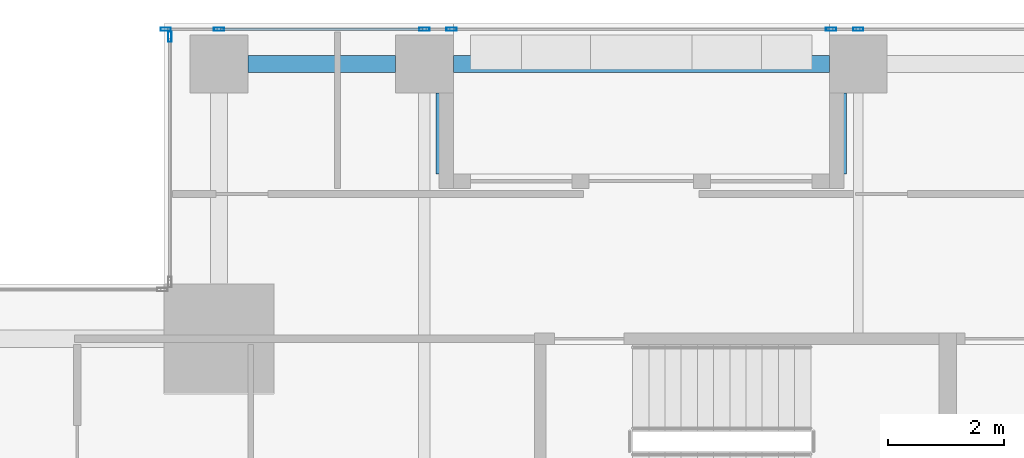
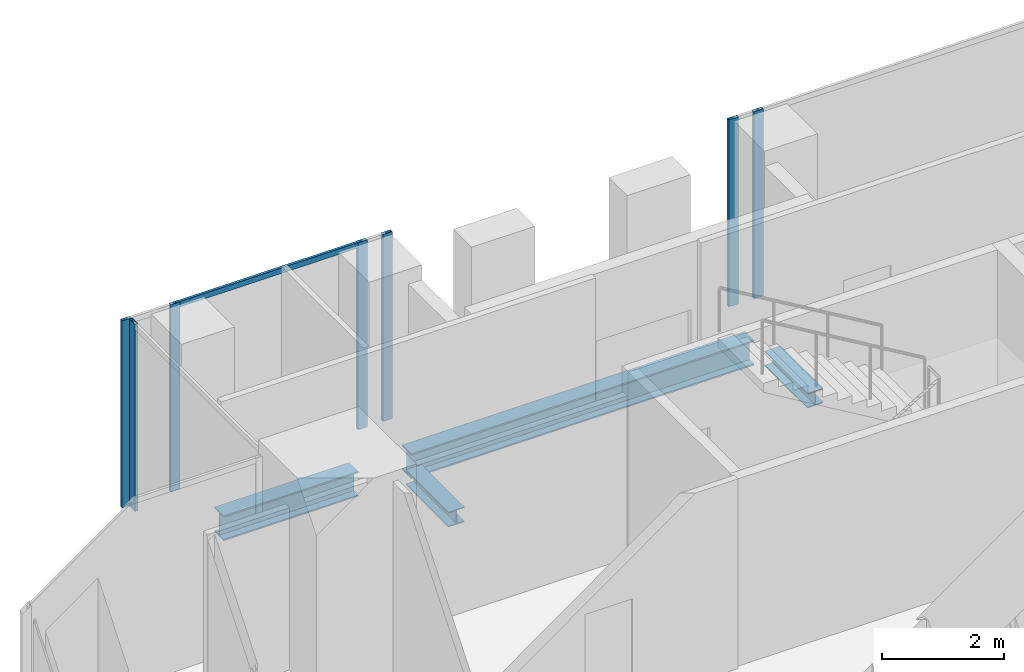
# One storey, part 22 of 40: 8 members, 4 beams, 3 elements without a shape of their own.
"""IFC4 building model written with IfcOpenShell, lengths in metres."""

from ifc_helpers import new_model, si_unit, direction, frame, origin, origin_2d, place, context, subcontext, project, spatial, hollow_rectangle, i_section, extrude, source, transform, mapped, material, material_profile, profile_set, type_object, element, aggregate, save


model = new_model("IFC4")

# Units and contexts
model_context = context("Model", 3, precision=1e-05, world=origin(), true_north=direction((0.0, 1.0)))
body_context = subcontext(model_context, "Body", "Model", "MODEL_VIEW")
ifc_project = project(units=[si_unit("LENGTHUNIT", "METRE"), si_unit("AREAUNIT", "SQUARE_METRE"), si_unit("VOLUMEUNIT", "CUBIC_METRE"), si_unit("PLANEANGLEUNIT", "RADIAN"), si_unit("MASSUNIT", "GRAM", prefix="KILO")], contexts=[model_context])

# Site, building, storey
site_placement = place(None, origin())
site = spatial("IfcSite", under=ifc_project, at=site_placement, CompositionType="ELEMENT")
building_placement = place(site_placement, origin())
building = spatial("IfcBuilding", under=site, at=building_placement, Name="Khomas Fold Tower", CompositionType="ELEMENT")
storey_placement = place(building_placement, frame((0.0, 0.0, 184.699951171875)))
storey = spatial("IfcBuildingStorey", under=building, at=storey_placement, Name="L40", CompositionType="ELEMENT", Elevation=184.699951171875)

# Beams
ifc_material_1 = material(Name="Steel S355", Category="steel")
ifc_material_profile_1 = material_profile(ifc_material_1, i_section(OverallWidth=0.300048828125, OverallDepth=0.5, WebThickness=0.014404296875, FlangeThickness=0.028076171875, at=origin_2d()), Name="HE 500 B")
ifc_profile_set_1 = profile_set([ifc_material_profile_1], Name="Steel S355")
beam_type_1 = type_object("IfcBeamType", Name="HE 500 B spandrel SB3", PredefinedType="SPANDREL", material=ifc_profile_set_1)
shared_shape_1 = source(origin(), body_context, "Body", "SweptSolid", [
    extrude(i_section(OverallWidth=0.300048828125, OverallDepth=0.5, WebThickness=0.014404296875, FlangeThickness=0.028076171875, at=origin_2d()), origin(), (0.0, 0.0, 1.0), 2.550048828125),
])
beam_1_placement = place(storey_placement, frame((8.949951171875, 50.300048828125, -0.5), z_axis=(1.0, 0.0, 0.0), x_axis=(0.0, 1.0, 0.0)))
element("IfcBeam", 1, at=beam_1_placement, inside=storey, type_object=beam_type_1, Name="SB3", PredefinedType="SPANDREL", context=body_context, shape_type="MappedRepresentation", body=[
    mapped(shared_shape_1, transform((0.0, 0.0, 0.0))),
])
shared_shape_2 = source(origin(), body_context, "Body", "SweptSolid", [
    extrude(i_section(OverallWidth=0.300048828125, OverallDepth=0.5, WebThickness=0.014404296875, FlangeThickness=0.028076171875, at=origin_2d()), origin(), (0.0, 0.0, 1.0), 6.5),
])
beam_2_placement = place(storey_placement, frame((12.5, 50.300048828125, -0.5), z_axis=(1.0, 0.0, 0.0), x_axis=(0.0, 1.0, 0.0)))
element("IfcBeam", 2, at=beam_2_placement, inside=storey, type_object=beam_type_1, Name="SB3", PredefinedType="SPANDREL", context=body_context, shape_type="MappedRepresentation", body=[
    mapped(shared_shape_2, transform((0.0, 0.0, 0.0))),
])
ifc_material_2 = material(Name="Steel S355", Category="steel")
ifc_material_profile_2 = material_profile(ifc_material_2, i_section(OverallWidth=0.300048828125, OverallDepth=0.300048828125, WebThickness=0.010986328125, FlangeThickness=0.01904296875, at=origin_2d()), Name="HE 300 B")
ifc_profile_set_2 = profile_set([ifc_material_profile_2], Name="Steel S355")
beam_type_2 = type_object("IfcBeamType", Name="HE 300 B beam BB1", PredefinedType="BEAM", material=ifc_profile_set_2)
shared_shape_3 = source(origin(), body_context, "Body", "SweptSolid", [
    extrude(i_section(OverallWidth=0.300048828125, OverallDepth=0.300048828125, WebThickness=0.010986328125, FlangeThickness=0.01904296875, at=origin_2d()), origin(), (0.0, 0.0, 1.0), 1.400146484375),
])
for number, where, z_axis, x_axis, name in (
    (3, (12.35009765625, 48.39990234375, -0.39990234375), (0.0, 1.0, 0.0), (-1.0, 0.0, 0.0), "BB1"),
    (4, (19.14990234375, 48.39990234375, -0.39990234375), (0.0, 1.0, 0.0), (-1.0, 0.0, 0.0), "BB1"),
):
    element("IfcBeam", number, at=place(storey_placement, frame(where, z_axis=z_axis, x_axis=x_axis)), inside=storey, type_object=beam_type_2, Name=name, PredefinedType="BEAM", context=body_context, shape_type="MappedRepresentation", body=[
        mapped(shared_shape_3, transform((0.0, 0.0, 0.0))),
    ])

# Curtain wall, members
ifc_material_3 = material(Name="Aluminium framed double glazing", Category="aluminium")
curtain_wall_type = type_object("IfcCurtainWallType", Name="SK-Unitised clear-glass wall, office floors CW2", PredefinedType="NOTDEFINED", material=ifc_material_3)
curtain_wall_1_placement = place(storey_placement, origin())
curtain_wall_1 = element("IfcCurtainWall", 5, at=curtain_wall_1_placement, inside=storey, type_object=curtain_wall_type, Name="CW2 run L40 15-0", PredefinedType="NOTDEFINED")
ifc_material_4 = material(Name="Aluminium", Category="aluminium")
ifc_material_profile_3 = material_profile(ifc_material_4, hollow_rectangle(XDim=0.06005859375, YDim=0.179931640625, WallThickness=0.00390625, at=origin_2d()), Name="SK-Unitised clear-glass wall, office floors mullion CW2-M")
ifc_profile_set_3 = profile_set([ifc_material_profile_3], Name="Aluminium")
member_type_1 = type_object("IfcMemberType", Name="SK-Unitised clear-glass wall, office floors mullion CW2-M", PredefinedType="MULLION", material=ifc_profile_set_3)
shared_shape_4 = source(origin(), body_context, "Body", "SweptSolid", [
    extrude(hollow_rectangle(XDim=0.06005859375, YDim=0.179931640625, WallThickness=0.00390625, at=origin_2d()), origin(), (0.0, 0.0, 1.0), 3.75),
])
member_1_placement = place(storey_placement, frame((19.5, 50.89990234375, 0.0), z_axis=(0.0, 0.0, 1.0), x_axis=(0.0, -1.0, 0.0)))
member_1 = element("IfcMember", 6, at=member_1_placement, type_object=member_type_1, Name="CW2 mullion 3", PredefinedType="MULLION", context=body_context, shape_type="MappedRepresentation", body=[
    mapped(shared_shape_4, transform((0.0, 0.0, 0.0))),
])
member_2_placement = place(storey_placement, frame((19.030029296875, 50.89990234375, 0.0), z_axis=(0.0, 0.0, 1.0), x_axis=(0.0, -1.0, 0.0)))
member_2 = element("IfcMember", 7, at=member_2_placement, type_object=member_type_1, Name="CW2 mullion 4", PredefinedType="MULLION", context=body_context, shape_type="MappedRepresentation", body=[
    mapped(shared_shape_4, transform((0.0, 0.0, 0.0))),
])
aggregate(curtain_wall_1, [member_1, member_2])

curtain_wall_2_placement = place(storey_placement, origin())
curtain_wall_2 = element("IfcCurtainWall", 8, at=curtain_wall_2_placement, inside=storey, type_object=curtain_wall_type, Name="CW2 run L40 15-1", PredefinedType="NOTDEFINED")
member_3_placement = place(storey_placement, frame((12.469970703125, 50.89990234375, 0.0), z_axis=(0.0, 0.0, 1.0), x_axis=(0.0, -1.0, 0.0)))
member_3 = element("IfcMember", 9, at=member_3_placement, type_object=member_type_1, Name="CW2 mullion 1", PredefinedType="MULLION", context=body_context, shape_type="MappedRepresentation", body=[
    mapped(shared_shape_4, transform((0.0, 0.0, 0.0))),
])
member_4_placement = place(storey_placement, frame((12.0, 50.89990234375, 0.0), z_axis=(0.0, 0.0, 1.0), x_axis=(0.0, -1.0, 0.0)))
member_4 = element("IfcMember", 10, at=member_4_placement, type_object=member_type_1, Name="CW2 mullion 2", PredefinedType="MULLION", context=body_context, shape_type="MappedRepresentation", body=[
    mapped(shared_shape_4, transform((0.0, 0.0, 0.0))),
])
member_5_placement = place(storey_placement, frame((8.449951171875, 50.89990234375, 0.0), z_axis=(0.0, 0.0, 1.0), x_axis=(0.0, -1.0, 0.0)))
member_5 = element("IfcMember", 11, at=member_5_placement, type_object=member_type_1, Name="CW2 mullion 3", PredefinedType="MULLION", context=body_context, shape_type="MappedRepresentation", body=[
    mapped(shared_shape_4, transform((0.0, 0.0, 0.0))),
])
member_6_placement = place(storey_placement, frame((7.530029296875, 50.89990234375, 0.0), z_axis=(0.0, 0.0, 1.0), x_axis=(0.0, -1.0, 0.0)))
member_6 = element("IfcMember", 12, at=member_6_placement, type_object=member_type_1, Name="CW2 mullion 4", PredefinedType="MULLION", context=body_context, shape_type="MappedRepresentation", body=[
    mapped(shared_shape_4, transform((0.0, 0.0, 0.0))),
])

# Curtain wall, member
curtain_wall_3_placement = place(storey_placement, origin())
curtain_wall_3 = element("IfcCurtainWall", 13, at=curtain_wall_3_placement, inside=storey, type_object=curtain_wall_type, Name="CW2 corner return L40 16", PredefinedType="NOTDEFINED")
member_7_placement = place(storey_placement, frame((7.60009765625, 50.77001953125, 0.0), z_axis=(0.0, 0.0, 1.0), x_axis=(1.0, 0.0, 0.0)))
member_7 = element("IfcMember", 14, at=member_7_placement, type_object=member_type_1, Name="CW2 mullion 1", PredefinedType="MULLION", context=body_context, shape_type="MappedRepresentation", body=[
    mapped(shared_shape_4, transform((0.0, 0.0, 0.0))),
])
aggregate(curtain_wall_3, [member_7])

# Member
ifc_material_5 = material(Name="Aluminium", Category="aluminium")
ifc_material_profile_4 = material_profile(ifc_material_5, hollow_rectangle(XDim=0.050048828125, YDim=0.110107421875, WallThickness=0.00390625, at=origin_2d()), Name="SK-Unitised clear-glass wall, office floors transom CW2-T")
ifc_profile_set_4 = profile_set([ifc_material_profile_4], Name="Aluminium")
member_type_2 = type_object("IfcMemberType", Name="SK-Unitised clear-glass wall, office floors transom CW2-T", PredefinedType="USERDEFINED", material=ifc_profile_set_4)
shared_shape_5 = source(origin(), body_context, "Body", "SweptSolid", [
    extrude(hollow_rectangle(XDim=0.050048828125, YDim=0.110107421875, WallThickness=0.00390625, at=origin_2d()), origin(), (0.0, 0.0, 1.0), 3.489990234375),
])
member_8_placement = place(storey_placement, frame((11.969970703125, 50.89990234375, 3.695068359375), z_axis=(-1.0, 0.0, 0.0), x_axis=(0.0, -1.0, 0.0)))
member_8 = element("IfcMember", 15, at=member_8_placement, type_object=member_type_2, Name="CW2 transom 2", ObjectType="TRANSOM", PredefinedType="USERDEFINED", context=body_context, shape_type="MappedRepresentation", body=[
    mapped(shared_shape_5, transform((0.0, 0.0, 0.0))),
])

aggregate(curtain_wall_2, [member_3, member_4, member_5, member_6, member_8])

save(model, "model.ifc")
